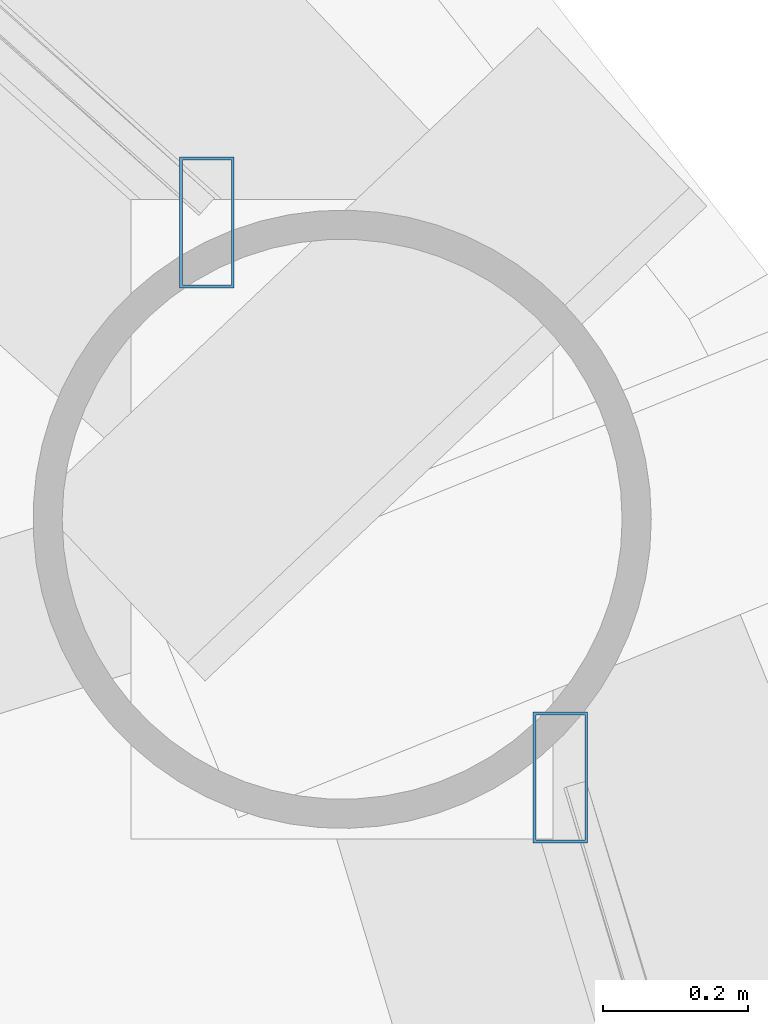
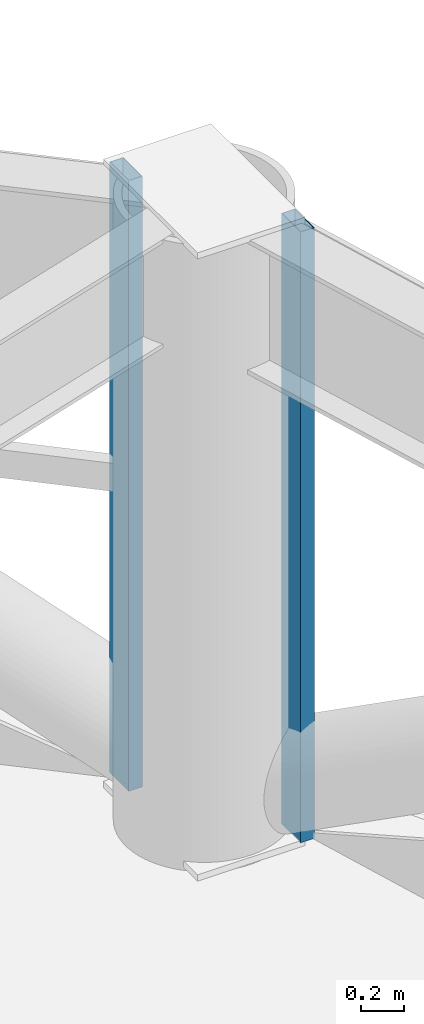
# One storey, part 20 of 31: 2 members, 2 elements without a shape of their own.
"""IFC4 building model written with IfcOpenShell, lengths in metres."""

from ifc_helpers import new_model, si_unit, direction, frame, origin, origin_2d, place, context, subcontext, project, spatial, hollow_rectangle, extrude, material, layer, layer_set, material_profile, profile_set, type_object, element, aggregate, save


model = new_model("IFC4")

# Units and contexts
model_context = context("Model", 3, precision=1e-05, world=origin(), true_north=direction((0.0, 1.0)))
body_context = subcontext(model_context, "Body", "Model", "MODEL_VIEW")
ifc_project = project(units=[si_unit("LENGTHUNIT", "METRE"), si_unit("AREAUNIT", "SQUARE_METRE"), si_unit("VOLUMEUNIT", "CUBIC_METRE"), si_unit("PLANEANGLEUNIT", "RADIAN"), si_unit("MASSUNIT", "GRAM", prefix="KILO")], contexts=[model_context])

# Site, building, storey
site_placement = place(None, origin())
site = spatial("IfcSite", under=ifc_project, at=site_placement, CompositionType="ELEMENT")
building_placement = place(site_placement, origin())
building = spatial("IfcBuilding", under=site, at=building_placement, Name="Vantalir Tower", CompositionType="ELEMENT")
storey_placement = place(building_placement, frame((0.0, 0.0, 34.5)))
storey = spatial("IfcBuildingStorey", under=building, at=storey_placement, Name="L07", CompositionType="ELEMENT", Elevation=34.5)

# Curtain wall, member
ifc_material_1 = material(Name="Champagne-silver PVDF aluminium and double-silver Low-E glass", Category="aluminium")
ifc_layer = layer(ifc_material_1, 0.18994140625)
ifc_layer_set = layer_set([ifc_layer], Name="Champagne-silver PVDF aluminium and double-silver Low-E glass")
curtain_wall_type = type_object("IfcCurtainWallType", Name="CW-DIAMOND-Z1", PredefinedType="USERDEFINED", material=ifc_layer_set)
curtain_wall_1_placement = place(storey_placement, origin())
curtain_wall_1 = element("IfcCurtainWall", 1, at=curtain_wall_1_placement, inside=storey, type_object=curtain_wall_type, Name="L07 Quilted Pyramid-Diamond Curtain Wall S01", ObjectType="UNITISED CURTAIN WALL", PredefinedType="USERDEFINED")
ifc_material_2 = material(Name="Champagne-silver PVDF aluminium 6063-T6", Category="aluminium")
ifc_material_profile = material_profile(ifc_material_2, hollow_rectangle(XDim=0.074951171875, YDim=0.179931640625, WallThickness=0.00390625, at=origin_2d()), Name="Champagne-silver PVDF aluminium 6063-T6")
ifc_profile_set = profile_set([ifc_material_profile], Name="Champagne-silver PVDF aluminium 6063-T6")
member_type = type_object("IfcMemberType", Name="CWM-180x75", PredefinedType="MULLION", material=ifc_profile_set)
member_1_placement = place(storey_placement, frame((53.840087890625, 35.97705078125, 0.044921875), z_axis=(0.0, 0.0, 1.0), x_axis=(1.0, 0.0, 0.0)))
member_1 = element("IfcMember", 2, at=member_1_placement, type_object=member_type, Name="CW-L07-S01 Mullion 2", PredefinedType="MULLION", context=body_context, shape_type="SweptSolid", body=[
    extrude(hollow_rectangle(XDim=0.074951171875, YDim=0.179931640625, WallThickness=0.00390625, at=origin_2d()), origin(), (0.0, 0.0, 1.0), 3.47998046875),
])
aggregate(curtain_wall_1, [member_1])

curtain_wall_2_placement = place(storey_placement, origin())
curtain_wall_2 = element("IfcCurtainWall", 3, at=curtain_wall_2_placement, inside=storey, type_object=curtain_wall_type, Name="L07 Quilted Pyramid-Diamond Curtain Wall S02", ObjectType="UNITISED CURTAIN WALL", PredefinedType="USERDEFINED")
member_2_placement = place(storey_placement, frame((53.35400390625, 36.739990234375, 0.044921875), z_axis=(0.0, 0.0, 1.0), x_axis=(1.0, 0.0, 0.0)))
member_2 = element("IfcMember", 4, at=member_2_placement, type_object=member_type, Name="CW-L07-S02 Mullion 1", PredefinedType="MULLION", context=body_context, shape_type="SweptSolid", body=[
    extrude(hollow_rectangle(XDim=0.074951171875, YDim=0.179931640625, WallThickness=0.00390625, at=origin_2d()), origin(), (0.0, 0.0, 1.0), 3.47998046875),
])
aggregate(curtain_wall_2, [member_2])

save(model, "model.ifc")
